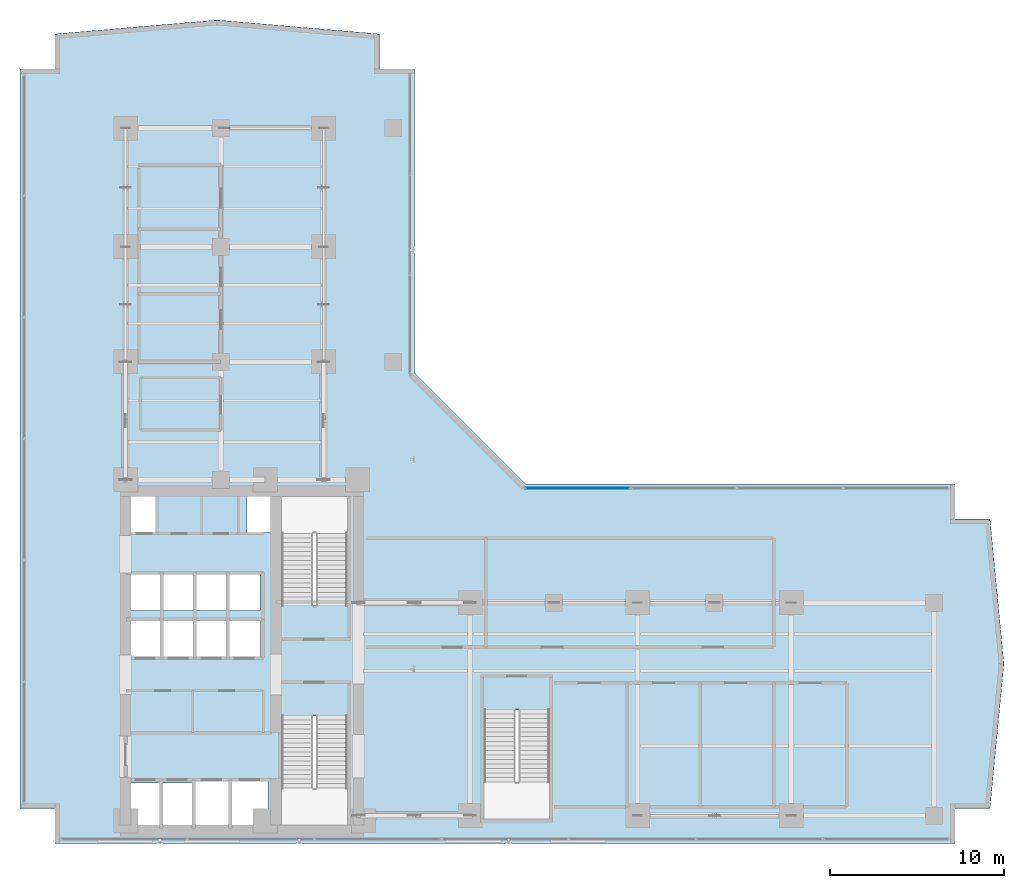
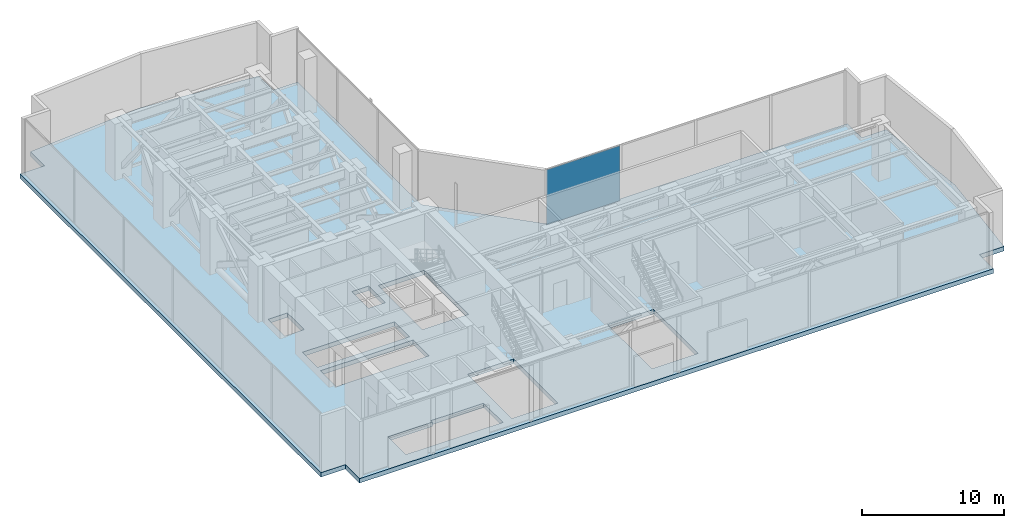
# One storey, part 26 of 37: 1 plate, 1 slab, 1 element without a shape of its own.
"""IFC4 building model written with IfcOpenShell, lengths in metres."""

from ifc_helpers import new_model, si_unit, direction, frame, origin, origin_with_axes, origin_2d, place, context, subcontext, project, spatial, polyline, rectangle, outline, extrude, source, transform, mapped, material, layer, layer_set, type_object, element, aggregate, save


model = new_model("IFC4")

# Units and contexts
model_context = context("Model", 3, precision=1e-05, world=origin(), true_north=direction((0.0, 1.0)))
body_context = subcontext(model_context, "Body", "Model", "MODEL_VIEW")
ifc_project = project(units=[si_unit("LENGTHUNIT", "METRE"), si_unit("AREAUNIT", "SQUARE_METRE"), si_unit("VOLUMEUNIT", "CUBIC_METRE"), si_unit("PLANEANGLEUNIT", "RADIAN"), si_unit("MASSUNIT", "GRAM", prefix="KILO")], contexts=[model_context])

# Site, building, storey
site_placement = place(None, origin())
site = spatial("IfcSite", under=ifc_project, at=site_placement, CompositionType="ELEMENT")
building_placement = place(site_placement, origin())
building = spatial("IfcBuilding", under=site, at=building_placement, Name="Kolvaren Waterfront Exchange", CompositionType="ELEMENT")
storey_placement = place(building_placement, frame((0.0, 0.0, 141.10009765625)))
storey = spatial("IfcBuildingStorey", under=building, at=storey_placement, Name="L36", CompositionType="ELEMENT", Elevation=141.10009765625)

# Slab
ifc_material_1 = material(Name="Concrete C40/50", Category="concrete")
ifc_layer_1 = layer(ifc_material_1, 0.3798828125, Name="Concrete C40/50")
ifc_layer_set_1 = layer_set([ifc_layer_1], Name="Concrete C40/50")
slab_type = type_object("IfcSlabType", Name="STR-SLAB-380", PredefinedType="FLOOR", material=ifc_layer_set_1)
slab_placement = place(storey_placement, frame((0.0, 0.0, -0.380126953125)))
element("IfcSlab", 1, at=slab_placement, inside=storey, type_object=slab_type, Name="L36 structural floor slab", PredefinedType="FLOOR", context=body_context, shape_type="SweptSolid", body=[
    extrude(outline(polyline([(3.39990234375, 3.60009765625), (55.0, 3.60009765625), (55.0, 5.60009765625), (57.0, 5.60009765625), (57.800048828125, 13.89990234375), (57.0, 22.199951171875), (55.0, 22.199951171875), (55.0, 24.199951171875), (30.39990234375, 24.199951171875), (24.0, 30.60009765625), (24.0, 48.0), (22.0, 48.0), (22.0, 50.0), (12.699951171875, 50.800048828125), (3.39990234375, 50.0), (3.39990234375, 48.0), (1.39990234375, 48.0), (1.39990234375, 5.60009765625), (3.39990234375, 5.60009765625), (3.39990234375, 3.60009765625)]), holes=[polyline([(11.320068359375, 7.260009765625), (15.610107421875, 7.260009765625), (15.610107421875, 4.5400390625), (7.719970703125, 4.5400390625), (7.719970703125, 7.06005859375), (11.320068359375, 7.06005859375), (11.320068359375, 7.260009765625)]), polyline([(20.159912109375, 10.89990234375), (20.159912109375, 4.64990234375), (16.39990234375, 4.64990234375), (16.39990234375, 10.89990234375), (20.159912109375, 10.89990234375)]), polyline([(31.760009765625, 11.25), (31.760009765625, 5.0), (28.0, 5.0), (28.0, 11.25), (31.760009765625, 11.25)]), polyline([(15.18505859375, 14.239990234375), (7.64501953125, 14.239990234375), (7.64501953125, 16.4599609375), (15.18505859375, 16.4599609375), (15.18505859375, 14.239990234375)]), polyline([(15.159912109375, 16.93994140625), (7.669921875, 16.93994140625), (7.669921875, 19.06005859375), (15.159912109375, 19.06005859375), (15.159912109375, 16.93994140625)]), polyline([(16.39990234375, 23.5), (20.159912109375, 23.5), (20.159912109375, 17.25), (16.39990234375, 17.25), (16.39990234375, 23.5)]), polyline([(7.60009765625, 23.780029296875), (9.179931640625, 23.780029296875), (9.179931640625, 21.419921875), (7.60009765625, 21.419921875), (7.60009765625, 23.780029296875)]), polyline([(15.800048828125, 23.780029296875), (15.800048828125, 21.419921875), (14.419921875, 21.419921875), (14.419921875, 23.780029296875), (15.800048828125, 23.780029296875)])]), origin(), (0.0, 0.0, 1.0), 0.380126953125),
])

# Curtain wall, plate
ifc_material_2 = material(Name="Anodised dark bronze spandrel aluminium", Category="aluminium")
ifc_layer_2 = layer(ifc_material_2, 0.219970703125, Name="Anodised dark bronze spandrel aluminium")
ifc_layer_set_2 = layer_set([ifc_layer_2], Name="Anodised dark bronze spandrel aluminium")
curtain_wall_type = type_object("IfcCurtainWallType", Name="ARC-CW-SYS6", PredefinedType="USERDEFINED", material=ifc_layer_set_2)
curtain_wall_placement = place(storey_placement, origin())
curtain_wall = element("IfcCurtainWall", 2, at=curtain_wall_placement, inside=storey, type_object=curtain_wall_type, Name="L36 stick curtain wall CW6 (CW-L36-EN)", ObjectType="STICK CURTAIN WALL", PredefinedType="USERDEFINED")
ifc_layer_3 = layer(ifc_material_2, 0.0419921875, Name="Anodised dark bronze spandrel aluminium")
ifc_layer_set_3 = layer_set([ifc_layer_3], Name="Anodised dark bronze spandrel aluminium")
plate_type = type_object("IfcPlateType", Name="ARC-CWP-42", PredefinedType="CURTAIN_PANEL", material=ifc_layer_set_3)
shared_shape = source(origin_with_axes(), body_context, "Body", "SweptSolid", [
    extrude(rectangle(XDim=5.989990234375, YDim=0.0419921875, at=origin_2d()), origin(), (0.0, 0.0, 1.0), 4.72998046875),
])
plate_placement = place(storey_placement, frame((33.360107421875, 23.9599609375, 0.06494140625), z_axis=(0.0, 0.0, 1.0), x_axis=(1.0, 0.0, 0.0)))
plate = element("IfcPlate", 3, at=plate_placement, type_object=plate_type, Name="CW6 panel 1.1", PredefinedType="CURTAIN_PANEL", context=body_context, shape_type="MappedRepresentation", body=[
    mapped(shared_shape, transform((0.0, 0.0, 0.0), x_axis=(1.0, 0.0, 0.0), y_axis=(0.0, 1.0, 0.0), z_axis=(0.0, 0.0, 1.0), scale=1.0)),
])
aggregate(curtain_wall, [plate])

save(model, "model.ifc")
